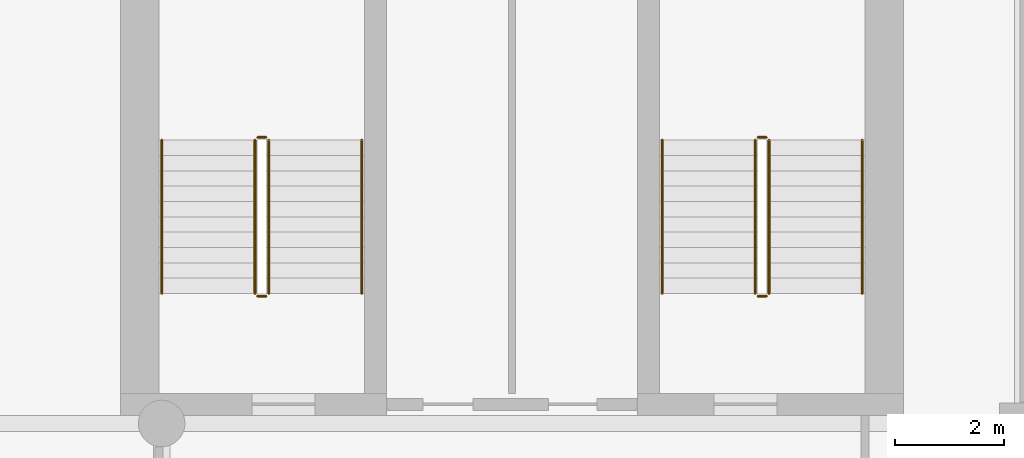
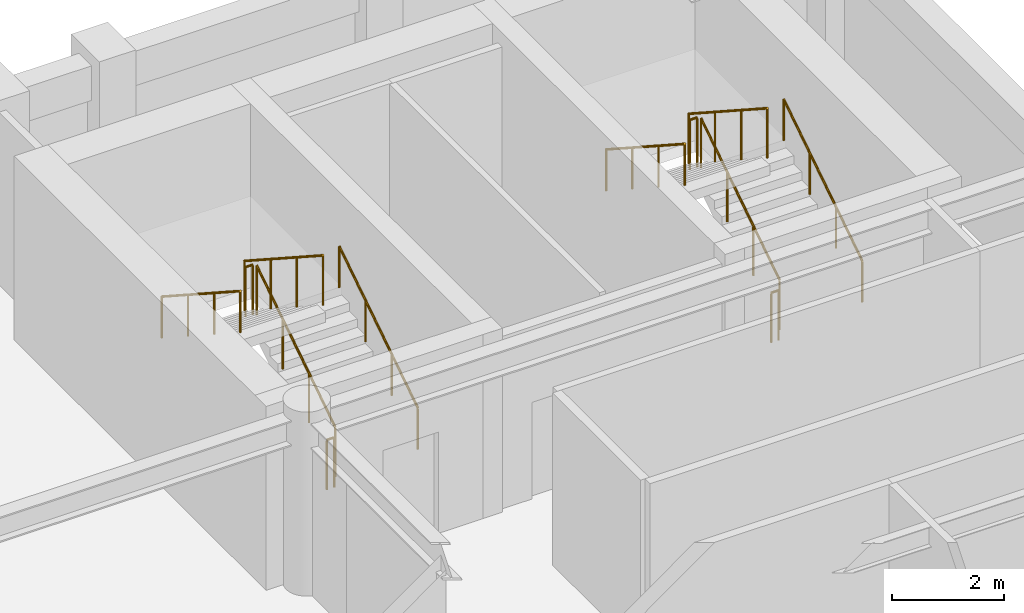
# One storey, part 8 of 8: 12 railings.
"""IFC4 building model written with IfcOpenShell, lengths in metres."""

from ifc_helpers import new_model, si_unit, direction, frame, origin, origin_2d, place, context, subcontext, project, spatial, circle, extrude, material, type_object, element, save


model = new_model("IFC4")

# Units and contexts
model_context = context("Model", 3, precision=1e-05, world=origin(), true_north=direction((0.0, 1.0)))
body_context = subcontext(model_context, "Body", "Model", "MODEL_VIEW")
ifc_project = project(units=[si_unit("LENGTHUNIT", "METRE"), si_unit("AREAUNIT", "SQUARE_METRE"), si_unit("VOLUMEUNIT", "CUBIC_METRE"), si_unit("PLANEANGLEUNIT", "RADIAN"), si_unit("MASSUNIT", "GRAM", prefix="KILO")], contexts=[model_context])

# Site, building, storey
site_placement = place(None, origin())
site = spatial("IfcSite", under=ifc_project, at=site_placement, CompositionType="ELEMENT")
building_placement = place(site_placement, origin())
building = spatial("IfcBuilding", under=site, at=building_placement, Name="Sulina Concourse Tower", CompositionType="ELEMENT")
storey_placement = place(building_placement, frame((0.0, 0.0, 248.60009765625)))
storey = spatial("IfcBuildingStorey", under=building, at=storey_placement, Name="L60", CompositionType="ELEMENT", Elevation=248.60009765625)

# Railings
ifc_material_1 = material(Name="Galvanised steel railing", Category="steel")
railing_type_1 = type_object("IfcRailingType", Name="Core Stair Steel Guardrail 1150mm", PredefinedType="GUARDRAIL", material=ifc_material_1)
railing_1_placement = place(storey_placement, frame((43.554931640625, 36.375, 0.181640625)))
element("IfcRailing", 1, at=railing_1_placement, inside=storey, type_object=railing_type_1, Name="L60 ST-3 stair guard 1", PredefinedType="GUARDRAIL", context=body_context, shape_type="SweptSolid", body=[
    extrude(circle(Radius=0.02392578125, at=origin_2d()), frame((0.0, 0.0, 1.076171875), z_axis=(0.0, 0.838672427954, 0.544636170843), x_axis=(-1.0, 0.0, 0.0)), (0.0, 0.0, 1.0), 3.338623046875),
    extrude(circle(Radius=0.02099609375, at=origin_2d()), origin(), (0.0, 0.0, 1.0), 1.052001953125),
    extrude(circle(Radius=0.02099609375, at=origin_2d()), frame((0.0, 0.933349609375, 0.606201171875)), (0.0, 0.0, 1.0), 1.052001953125),
    extrude(circle(Radius=0.02099609375, at=origin_2d()), frame((0.0, 1.86669921875, 1.212158203125)), (0.0, 0.0, 1.0), 1.052001953125),
    extrude(circle(Radius=0.02099609375, at=origin_2d()), frame((0.0, 2.800048828125, 1.818359375)), (0.0, 0.0, 1.0), 1.052001953125),
])
railing_2_placement = place(storey_placement, frame((43.5048828125, 39.22509765625, 2.0)))
element("IfcRailing", 2, at=railing_2_placement, inside=storey, type_object=railing_type_1, Name="L60 ST-3 stair guard 2", PredefinedType="GUARDRAIL", context=body_context, shape_type="SweptSolid", body=[
    extrude(circle(Radius=0.02392578125, at=origin_2d()), frame((0.0, 0.0, 1.076171875), z_axis=(-1.0, 0.0, 0.0), x_axis=(0.0, -1.0, 0.0)), (0.0, 0.0, 1.0), 0.14990234375),
    extrude(circle(Radius=0.02099609375, at=origin_2d()), origin(), (0.0, 0.0, 1.0), 1.052001953125),
    extrude(circle(Radius=0.02099609375, at=origin_2d()), frame((-0.14990234375, 0.0, 0.0)), (0.0, 0.0, 1.0), 1.052001953125),
])
railing_3_placement = place(storey_placement, frame((43.304931640625, 39.175048828125, 2.181640625)))
element("IfcRailing", 3, at=railing_3_placement, inside=storey, type_object=railing_type_1, Name="L60 ST-3 stair guard 3", PredefinedType="GUARDRAIL", context=body_context, shape_type="SweptSolid", body=[
    extrude(circle(Radius=0.02392578125, at=origin_2d()), frame((0.0, 0.0, 1.076171875), z_axis=(0.0, -0.838672427954, 0.544636170843), x_axis=(1.0, 0.0, 0.0)), (0.0, 0.0, 1.0), 3.338623046875),
    extrude(circle(Radius=0.02099609375, at=origin_2d()), origin(), (0.0, 0.0, 1.0), 1.052001953125),
    extrude(circle(Radius=0.02099609375, at=origin_2d()), frame((0.0, -0.933349609375, 0.606201171875)), (0.0, 0.0, 1.0), 1.052001953125),
    extrude(circle(Radius=0.02099609375, at=origin_2d()), frame((0.0, -1.86669921875, 1.212158203125)), (0.0, 0.0, 1.0), 1.052001953125),
    extrude(circle(Radius=0.02099609375, at=origin_2d()), frame((0.0, -2.800048828125, 1.818359375)), (0.0, 0.0, 1.0), 1.052001953125),
])
railing_4_placement = place(storey_placement, frame((43.5048828125, 36.324951171875, 0.0)))
element("IfcRailing", 4, at=railing_4_placement, inside=storey, type_object=railing_type_1, Name="L60 ST-3 stair guard 4", PredefinedType="GUARDRAIL", context=body_context, shape_type="SweptSolid", body=[
    extrude(circle(Radius=0.02392578125, at=origin_2d()), frame((0.0, 0.0, 1.076171875), z_axis=(-1.0, 0.0, 0.0), x_axis=(0.0, -1.0, 0.0)), (0.0, 0.0, 1.0), 0.14990234375),
    extrude(circle(Radius=0.02099609375, at=origin_2d()), origin(), (0.0, 0.0, 1.0), 1.052001953125),
    extrude(circle(Radius=0.02099609375, at=origin_2d()), frame((-0.14990234375, 0.0, 0.0)), (0.0, 0.0, 1.0), 1.052001953125),
])
railing_5_placement = place(storey_placement, frame((52.695068359375, 36.375, 0.181640625)))
element("IfcRailing", 5, at=railing_5_placement, inside=storey, type_object=railing_type_1, Name="L60 ST-4 stair guard 1", PredefinedType="GUARDRAIL", context=body_context, shape_type="SweptSolid", body=[
    extrude(circle(Radius=0.02392578125, at=origin_2d()), frame((0.0, 0.0, 1.076171875), z_axis=(0.0, 0.838672427954, 0.544636170843), x_axis=(-1.0, 0.0, 0.0)), (0.0, 0.0, 1.0), 3.338623046875),
    extrude(circle(Radius=0.02099609375, at=origin_2d()), origin(), (0.0, 0.0, 1.0), 1.052001953125),
    extrude(circle(Radius=0.02099609375, at=origin_2d()), frame((0.0, 0.933349609375, 0.606201171875)), (0.0, 0.0, 1.0), 1.052001953125),
    extrude(circle(Radius=0.02099609375, at=origin_2d()), frame((0.0, 1.86669921875, 1.212158203125)), (0.0, 0.0, 1.0), 1.052001953125),
    extrude(circle(Radius=0.02099609375, at=origin_2d()), frame((0.0, 2.800048828125, 1.818359375)), (0.0, 0.0, 1.0), 1.052001953125),
])
railing_6_placement = place(storey_placement, frame((52.64501953125, 39.22509765625, 2.0)))
element("IfcRailing", 6, at=railing_6_placement, inside=storey, type_object=railing_type_1, Name="L60 ST-4 stair guard 2", PredefinedType="GUARDRAIL", context=body_context, shape_type="SweptSolid", body=[
    extrude(circle(Radius=0.02392578125, at=origin_2d()), frame((0.0, 0.0, 1.076171875), z_axis=(-1.0, 0.0, 0.0), x_axis=(0.0, -1.0, 0.0)), (0.0, 0.0, 1.0), 0.14990234375),
    extrude(circle(Radius=0.02099609375, at=origin_2d()), origin(), (0.0, 0.0, 1.0), 1.052001953125),
    extrude(circle(Radius=0.02099609375, at=origin_2d()), frame((-0.14990234375, 0.0, 0.0)), (0.0, 0.0, 1.0), 1.052001953125),
])
railing_7_placement = place(storey_placement, frame((52.445068359375, 39.175048828125, 2.181640625)))
element("IfcRailing", 7, at=railing_7_placement, inside=storey, type_object=railing_type_1, Name="L60 ST-4 stair guard 3", PredefinedType="GUARDRAIL", context=body_context, shape_type="SweptSolid", body=[
    extrude(circle(Radius=0.02392578125, at=origin_2d()), frame((0.0, 0.0, 1.076171875), z_axis=(0.0, -0.838672427954, 0.544636170843), x_axis=(1.0, 0.0, 0.0)), (0.0, 0.0, 1.0), 3.338623046875),
    extrude(circle(Radius=0.02099609375, at=origin_2d()), origin(), (0.0, 0.0, 1.0), 1.052001953125),
    extrude(circle(Radius=0.02099609375, at=origin_2d()), frame((0.0, -0.933349609375, 0.606201171875)), (0.0, 0.0, 1.0), 1.052001953125),
    extrude(circle(Radius=0.02099609375, at=origin_2d()), frame((0.0, -1.86669921875, 1.212158203125)), (0.0, 0.0, 1.0), 1.052001953125),
    extrude(circle(Radius=0.02099609375, at=origin_2d()), frame((0.0, -2.800048828125, 1.818359375)), (0.0, 0.0, 1.0), 1.052001953125),
])
railing_8_placement = place(storey_placement, frame((52.64501953125, 36.324951171875, 0.0)))
element("IfcRailing", 8, at=railing_8_placement, inside=storey, type_object=railing_type_1, Name="L60 ST-4 stair guard 4", PredefinedType="GUARDRAIL", context=body_context, shape_type="SweptSolid", body=[
    extrude(circle(Radius=0.02392578125, at=origin_2d()), frame((0.0, 0.0, 1.076171875), z_axis=(-1.0, 0.0, 0.0), x_axis=(0.0, -1.0, 0.0)), (0.0, 0.0, 1.0), 0.14990234375),
    extrude(circle(Radius=0.02099609375, at=origin_2d()), origin(), (0.0, 0.0, 1.0), 1.052001953125),
    extrude(circle(Radius=0.02099609375, at=origin_2d()), frame((-0.14990234375, 0.0, 0.0)), (0.0, 0.0, 1.0), 1.052001953125),
])
ifc_material_2 = material(Name="Galvanised steel railing", Category="steel")
railing_type_2 = type_object("IfcRailingType", Name="Stair Wall Steel Handrail 920mm", PredefinedType="HANDRAIL", material=ifc_material_2)
railing_9_placement = place(storey_placement, frame((45.2548828125, 36.375, 0.181640625)))
element("IfcRailing", 9, at=railing_9_placement, inside=storey, type_object=railing_type_2, Name="L60 ST-3 stair handrail 1", PredefinedType="HANDRAIL", context=body_context, shape_type="SweptSolid", body=[
    extrude(circle(Radius=0.02392578125, at=origin_2d()), frame((0.0, 0.0, 0.89599609375), z_axis=(0.0, 0.838672427954, 0.544636170843), x_axis=(-1.0, 0.0, 0.0)), (0.0, 0.0, 1.0), 3.338623046875),
    extrude(circle(Radius=0.02099609375, at=origin_2d()), origin(), (0.0, 0.0, 1.0), 0.871826171875),
    extrude(circle(Radius=0.02099609375, at=origin_2d()), frame((0.0, 0.933349609375, 0.606201171875)), (0.0, 0.0, 1.0), 0.871826171875),
    extrude(circle(Radius=0.02099609375, at=origin_2d()), frame((0.0, 1.86669921875, 1.212158203125)), (0.0, 0.0, 1.0), 0.871826171875),
    extrude(circle(Radius=0.02099609375, at=origin_2d()), frame((0.0, 2.800048828125, 1.818359375)), (0.0, 0.0, 1.0), 0.871826171875),
])
railing_10_placement = place(storey_placement, frame((41.60498046875, 39.175048828125, 2.181640625)))
element("IfcRailing", 10, at=railing_10_placement, inside=storey, type_object=railing_type_2, Name="L60 ST-3 stair handrail 2", PredefinedType="HANDRAIL", context=body_context, shape_type="SweptSolid", body=[
    extrude(circle(Radius=0.02392578125, at=origin_2d()), frame((0.0, 0.0, 0.89599609375), z_axis=(0.0, -0.838672427954, 0.544636170843), x_axis=(1.0, 0.0, 0.0)), (0.0, 0.0, 1.0), 3.338623046875),
    extrude(circle(Radius=0.02099609375, at=origin_2d()), origin(), (0.0, 0.0, 1.0), 0.871826171875),
    extrude(circle(Radius=0.02099609375, at=origin_2d()), frame((0.0, -0.933349609375, 0.606201171875)), (0.0, 0.0, 1.0), 0.871826171875),
    extrude(circle(Radius=0.02099609375, at=origin_2d()), frame((0.0, -1.86669921875, 1.212158203125)), (0.0, 0.0, 1.0), 0.871826171875),
    extrude(circle(Radius=0.02099609375, at=origin_2d()), frame((0.0, -2.800048828125, 1.818359375)), (0.0, 0.0, 1.0), 0.871826171875),
])
railing_11_placement = place(storey_placement, frame((54.39501953125, 36.375, 0.181640625)))
element("IfcRailing", 11, at=railing_11_placement, inside=storey, type_object=railing_type_2, Name="L60 ST-4 stair handrail 1", PredefinedType="HANDRAIL", context=body_context, shape_type="SweptSolid", body=[
    extrude(circle(Radius=0.02392578125, at=origin_2d()), frame((0.0, 0.0, 0.89599609375), z_axis=(0.0, 0.838672427954, 0.544636170843), x_axis=(-1.0, 0.0, 0.0)), (0.0, 0.0, 1.0), 3.338623046875),
    extrude(circle(Radius=0.02099609375, at=origin_2d()), origin(), (0.0, 0.0, 1.0), 0.871826171875),
    extrude(circle(Radius=0.02099609375, at=origin_2d()), frame((0.0, 0.933349609375, 0.606201171875)), (0.0, 0.0, 1.0), 0.871826171875),
    extrude(circle(Radius=0.02099609375, at=origin_2d()), frame((0.0, 1.86669921875, 1.212158203125)), (0.0, 0.0, 1.0), 0.871826171875),
    extrude(circle(Radius=0.02099609375, at=origin_2d()), frame((0.0, 2.800048828125, 1.818359375)), (0.0, 0.0, 1.0), 0.871826171875),
])
railing_12_placement = place(storey_placement, frame((50.7451171875, 39.175048828125, 2.181640625)))
element("IfcRailing", 12, at=railing_12_placement, inside=storey, type_object=railing_type_2, Name="L60 ST-4 stair handrail 2", PredefinedType="HANDRAIL", context=body_context, shape_type="SweptSolid", body=[
    extrude(circle(Radius=0.02392578125, at=origin_2d()), frame((0.0, 0.0, 0.89599609375), z_axis=(0.0, -0.838672427954, 0.544636170843), x_axis=(1.0, 0.0, 0.0)), (0.0, 0.0, 1.0), 3.338623046875),
    extrude(circle(Radius=0.02099609375, at=origin_2d()), origin(), (0.0, 0.0, 1.0), 0.871826171875),
    extrude(circle(Radius=0.02099609375, at=origin_2d()), frame((0.0, -0.933349609375, 0.606201171875)), (0.0, 0.0, 1.0), 0.871826171875),
    extrude(circle(Radius=0.02099609375, at=origin_2d()), frame((0.0, -1.86669921875, 1.212158203125)), (0.0, 0.0, 1.0), 0.871826171875),
    extrude(circle(Radius=0.02099609375, at=origin_2d()), frame((0.0, -2.800048828125, 1.818359375)), (0.0, 0.0, 1.0), 0.871826171875),
])

save(model, "model.ifc")
